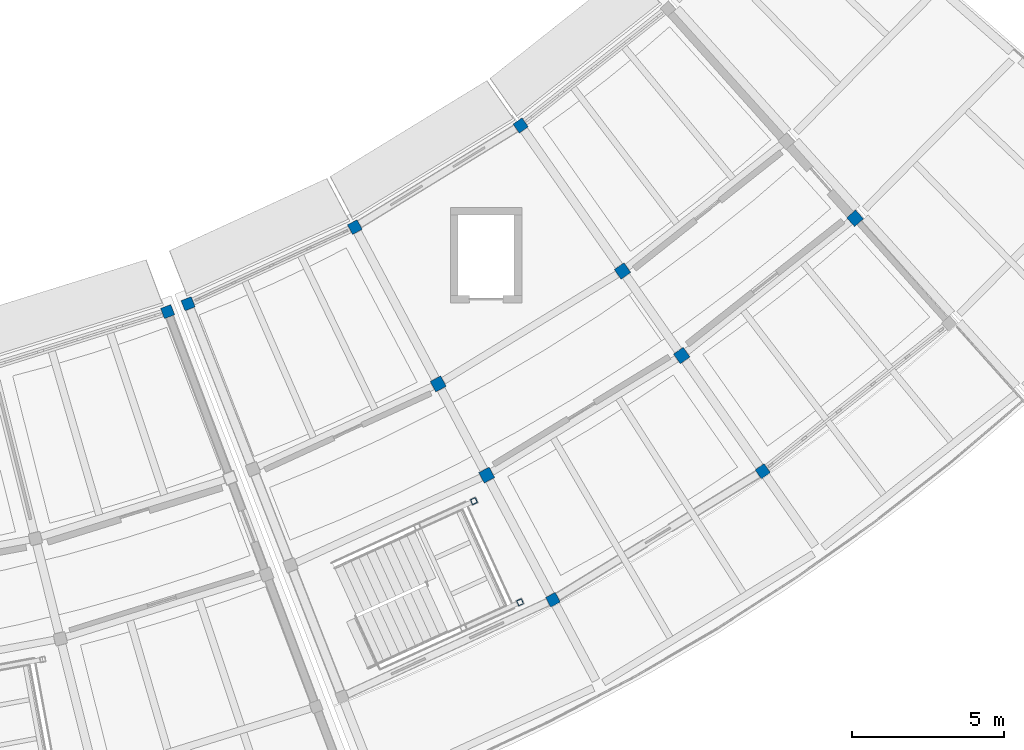
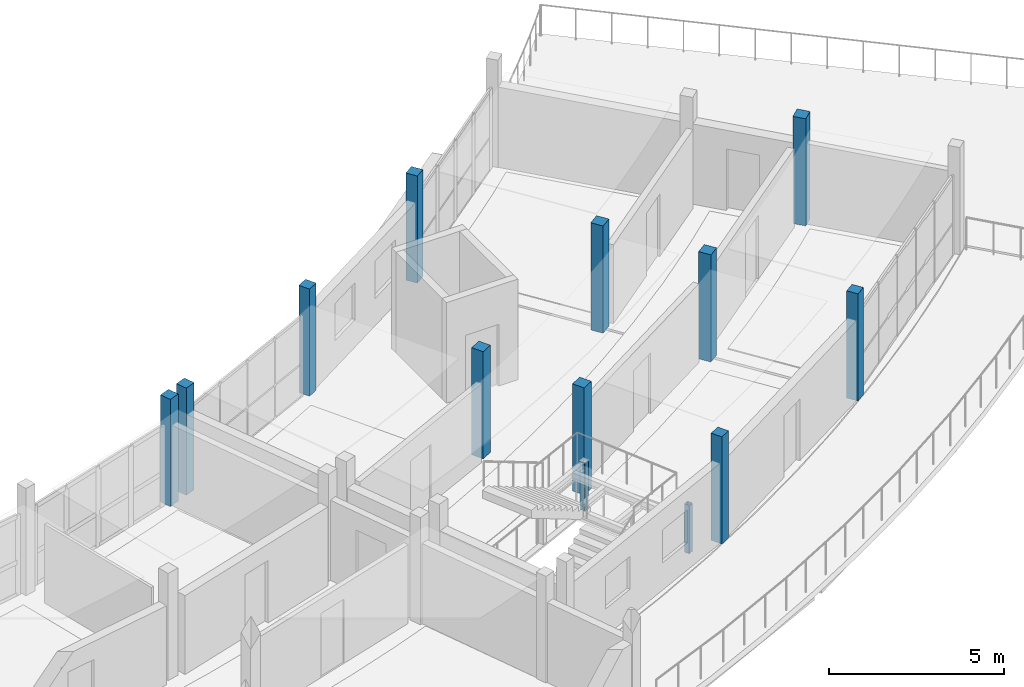
# One storey, part 6 of 36: 13 columns.
"""IFC4 building model written with IfcOpenShell, lengths in metres."""

from ifc_helpers import new_model, si_unit, direction, frame, origin, origin_2d, place, context, subcontext, project, spatial, rectangle, hollow_rectangle, extrude, material, material_profile, profile_set, type_object, element, save


model = new_model("IFC4")

# Units and contexts
model_context = context("Model", 3, precision=1e-05, world=origin(), true_north=direction((0.0, 1.0)))
body_context = subcontext(model_context, "Body", "Model", "MODEL_VIEW")
ifc_project = project(units=[si_unit("LENGTHUNIT", "METRE"), si_unit("AREAUNIT", "SQUARE_METRE"), si_unit("VOLUMEUNIT", "CUBIC_METRE"), si_unit("PLANEANGLEUNIT", "RADIAN"), si_unit("MASSUNIT", "GRAM", prefix="KILO")], contexts=[model_context])

# Site, building, storey
site_placement = place(None, origin())
site = spatial("IfcSite", under=ifc_project, at=site_placement, CompositionType="ELEMENT")
building_placement = place(site_placement, origin())
building = spatial("IfcBuilding", under=site, at=building_placement, Name="Caldaven Crescent School", CompositionType="ELEMENT")
storey_placement = place(building_placement, frame((0.0, 0.0, 11.89990234375)))
storey = spatial("IfcBuildingStorey", under=building, at=storey_placement, Name="L03", CompositionType="ELEMENT", Elevation=11.89990234375)

# Columns
ifc_material_1 = material(Name="Glulam MLE24h (GL28h)", Category="wood")
ifc_material_profile_1 = material_profile(ifc_material_1, rectangle(XDim=0.360107421875, YDim=0.360107421875, at=origin_2d()), Name="MLE 360x360")
ifc_profile_set_1 = profile_set([ifc_material_profile_1], Name="Glulam MLE24h (GL28h)")
column_type_1 = type_object("IfcColumnType", Name="COL-GL36", PredefinedType="COLUMN", material=ifc_profile_set_1)
for number, where, z_axis, x_axis, name in (
    (1, (106.458740234375, 46.905517578125, 0.0), (0.0, 0.0, 1.0), (0.352005016254, -0.93599811353, 0.0), "COL-V5-L03-06-0"),
    (2, (107.133056640625, 47.164306640625, 0.0), (0.0, 0.0, 1.0), (0.364714278886, -0.931119484694, 0.0), "COL-V4E-L03-00-0"),
    (3, (112.623779296875, 49.689453125, 0.0), (0.0, 0.0, 1.0), (0.469471562786, -0.882947592859, 0.0), "COL-V4E-L03-01-0"),
    (4, (119.1494140625, 37.41650390625, 0.0), (0.0, 0.0, 1.0), (0.469471562786, -0.882947592859, 0.0), "COL-V4E-L03-01-3"),
    (5, (118.083984375, 53.035400390625, 0.0), (0.0, 0.0, 1.0), (0.573576436351, -0.819152044289, 0.0), "COL-V4E-L03-02-0"),
    (6, (126.056884765625, 41.649169921875, 0.0), (0.0, 0.0, 1.0), (0.573576436351, -0.819152044289, 0.0), "COL-V4E-L03-02-3"),
):
    element("IfcColumn", number, at=place(storey_placement, frame(where, z_axis=z_axis, x_axis=x_axis)), inside=storey, type_object=column_type_1, Name=name, PredefinedType="COLUMN", context=body_context, shape_type="SweptSolid", body=[
        extrude(rectangle(XDim=0.360107421875, YDim=0.360107421875, at=origin_2d()), origin(), (0.0, 0.0, 1.0), 3.739990234375),
    ])
ifc_material_profile_2 = material_profile(ifc_material_1, rectangle(XDim=0.389892578125, YDim=0.389892578125, at=origin_2d()), Name="MLE 390x390")
ifc_profile_set_2 = profile_set([ifc_material_profile_2], Name="Glulam MLE24h (GL28h)")
column_type_2 = type_object("IfcColumnType", Name="COL-GL39", PredefinedType="COLUMN", material=ifc_profile_set_2)
for number, where, z_axis, x_axis, name in (
    (7, (115.3701171875, 44.524169921875, 0.0), (0.0, 0.0, 1.0), (0.469471562786, -0.882947592859, 0.0), "COL-V4E-L03-01-1"),
    (8, (116.96630859375, 41.522216796875, 0.0), (0.0, 0.0, 1.0), (0.469471562786, -0.882947592859, 0.0), "COL-V4E-L03-01-2"),
    (9, (121.439453125, 48.243408203125, 0.0), (0.0, 0.0, 1.0), (0.573576436351, -0.819152044289, 0.0), "COL-V4E-L03-02-1"),
    (10, (123.3896484375, 45.458251953125, 0.0), (0.0, 0.0, 1.0), (0.573576436351, -0.819152044289, 0.0), "COL-V4E-L03-02-2"),
    (11, (129.09716796875, 49.979248046875, 0.0), (0.0, 0.0, 1.0), (0.66614204858, -0.745824893064, 0.0), "COL-V4E-L03-03-2"),
):
    element("IfcColumn", number, at=place(storey_placement, frame(where, z_axis=z_axis, x_axis=x_axis)), inside=storey, type_object=column_type_2, Name=name, PredefinedType="COLUMN", context=body_context, shape_type="SweptSolid", body=[
        extrude(rectangle(XDim=0.389892578125, YDim=0.389892578125, at=origin_2d()), origin(), (0.0, 0.0, 1.0), 3.739990234375),
    ])
ifc_material_2 = material(Name="Steel ASTM A572 Grade 50", Category="steel")
ifc_material_profile_3 = material_profile(ifc_material_2, hollow_rectangle(XDim=0.179931640625, YDim=0.179931640625, WallThickness=0.010009765625, InnerFilletRadius=0.010009765625, OuterFilletRadius=0.02001953125, at=origin_2d()), Name="HSS 180x180x10")
ifc_profile_set_3 = profile_set([ifc_material_profile_3], Name="Steel ASTM A572 Grade 50")
column_type_3 = type_object("IfcColumnType", Name="COL-HS18", PredefinedType="COLUMN", material=ifc_profile_set_3)
for number, where, z_axis, x_axis, name in (
    (12, (118.064697265625, 37.33544921875, 0.0), (0.0, 0.0, 1.0), (0.909961270877, 0.414693242656, 0.0), "COL-STPOST-ST4-L03-C"),
    (13, (116.546875, 40.666015625, 0.0), (0.0, 0.0, 1.0), (0.909961270877, 0.414693242656, 0.0), "COL-STPOST-ST4-L03-D"),
):
    element("IfcColumn", number, at=place(storey_placement, frame(where, z_axis=z_axis, x_axis=x_axis)), inside=storey, type_object=column_type_3, Name=name, PredefinedType="COLUMN", context=body_context, shape_type="SweptSolid", body=[
        extrude(hollow_rectangle(XDim=0.179931640625, YDim=0.179931640625, WallThickness=0.010009765625, InnerFilletRadius=0.010009765625, OuterFilletRadius=0.02001953125, at=origin_2d()), origin(), (0.0, 0.0, 1.0), 1.675048828125),
    ])

save(model, "model.ifc")
